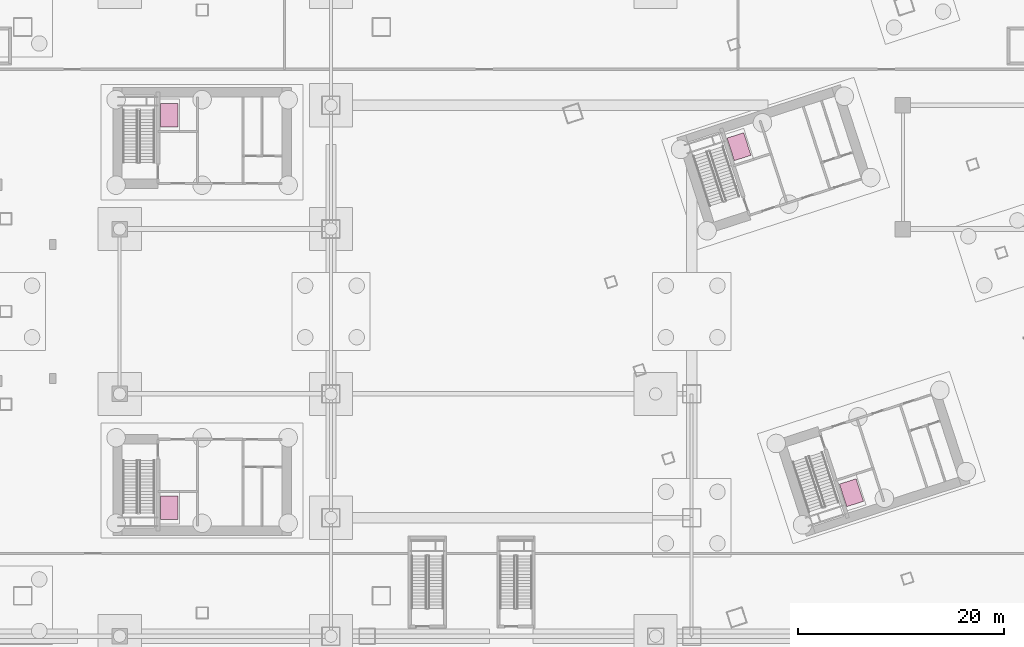
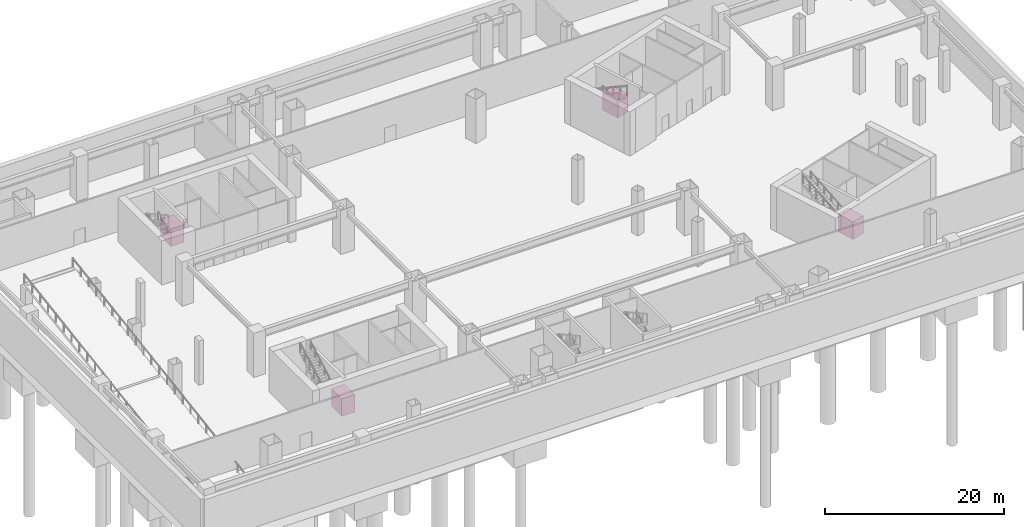
# One storey, part 20 of 20: 4 transport elements.
"""IFC4 building model written with IfcOpenShell, lengths in metres."""

from ifc_helpers import new_model, si_unit, direction, frame, origin, origin_2d, place, context, subcontext, project, spatial, rectangle, extrude, material, type_object, element, save


model = new_model("IFC4")

# Units and contexts
model_context = context("Model", 3, precision=1e-05, world=origin(), true_north=direction((0.0, 1.0)))
body_context = subcontext(model_context, "Body", "Model", "MODEL_VIEW")
ifc_project = project(units=[si_unit("LENGTHUNIT", "METRE"), si_unit("AREAUNIT", "SQUARE_METRE"), si_unit("VOLUMEUNIT", "CUBIC_METRE"), si_unit("PLANEANGLEUNIT", "RADIAN"), si_unit("MASSUNIT", "GRAM", prefix="KILO")], contexts=[model_context])

# Site, building, storey
site_placement = place(None, origin())
site = spatial("IfcSite", under=ifc_project, at=site_placement, CompositionType="ELEMENT")
building_placement = place(site_placement, origin())
building = spatial("IfcBuilding", under=site, at=building_placement, Name="Qiaolan Cultural Towers", CompositionType="ELEMENT")
storey_placement = place(building_placement, frame((0.0, 0.0, -12.0)))
storey = spatial("IfcBuildingStorey", under=building, at=storey_placement, Name="B2", CompositionType="ELEMENT", Elevation=-12.0)

# Transport elements
ifc_material = material(Name="Stainless Steel S30408 Fire-Rated Lift Car", Category="steel")
transport_element_type = type_object("IfcTransportElementType", Name="LFT-FIRE-2000", PredefinedType="ELEVATOR", material=ifc_material)
for number, where, z_axis, x_axis, name in (
    (1, (26.820068359375, 14.949951171875, 0.0), (0.0, 0.0, 1.0), (1.0, 0.0, 0.0), "Firefighting & Stretcher Lift FFL-W1"),
    (2, (26.820068359375, 53.050048828125, 0.0), (0.0, 0.0, 1.0), (1.0, 0.0, 0.0), "Firefighting & Stretcher Lift FFL-W2"),
    (3, (93.00048828125, 16.41650390625, 0.0), (0.0, 0.0, 1.0), (0.951056516295, 0.309016994375, 0.0), "Firefighting & Stretcher Lift FFL-E1"),
    (4, (82.092041015625, 49.98876953125, 0.0), (0.0, 0.0, 1.0), (0.951056516295, 0.309016994375, 0.0), "Firefighting & Stretcher Lift FFL-E2"),
):
    element("IfcTransportElement", number, at=place(storey_placement, frame(where, z_axis=z_axis, x_axis=x_axis)), inside=storey, type_object=transport_element_type, Name=name, PredefinedType="ELEVATOR", context=body_context, shape_type="SweptSolid", body=[
        extrude(rectangle(XDim=1.699951171875, YDim=2.300048828125, at=origin_2d()), origin(), (0.0, 0.0, 1.0), 2.39990234375),
    ])

save(model, "model.ifc")
